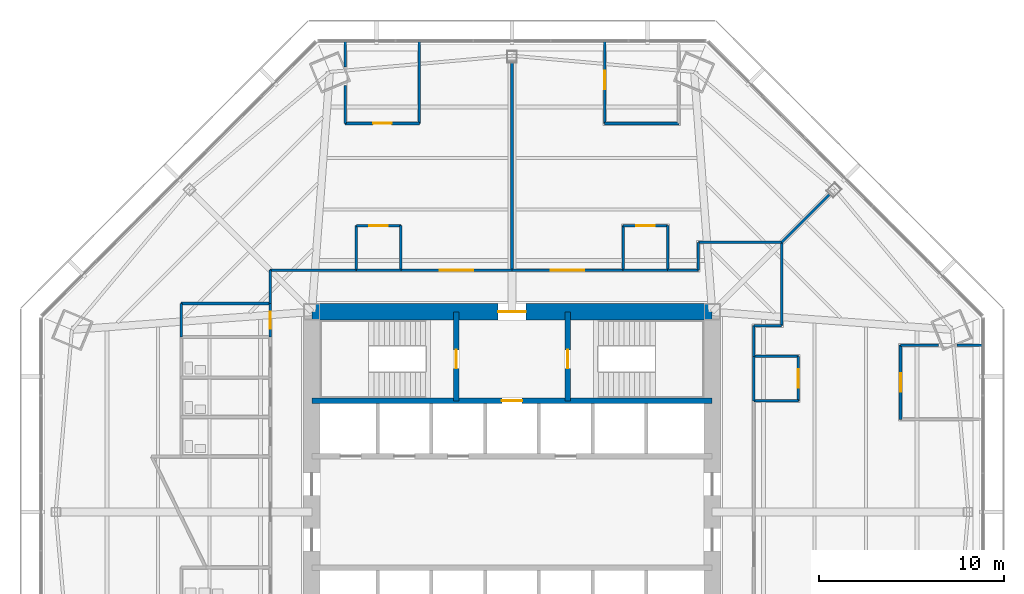
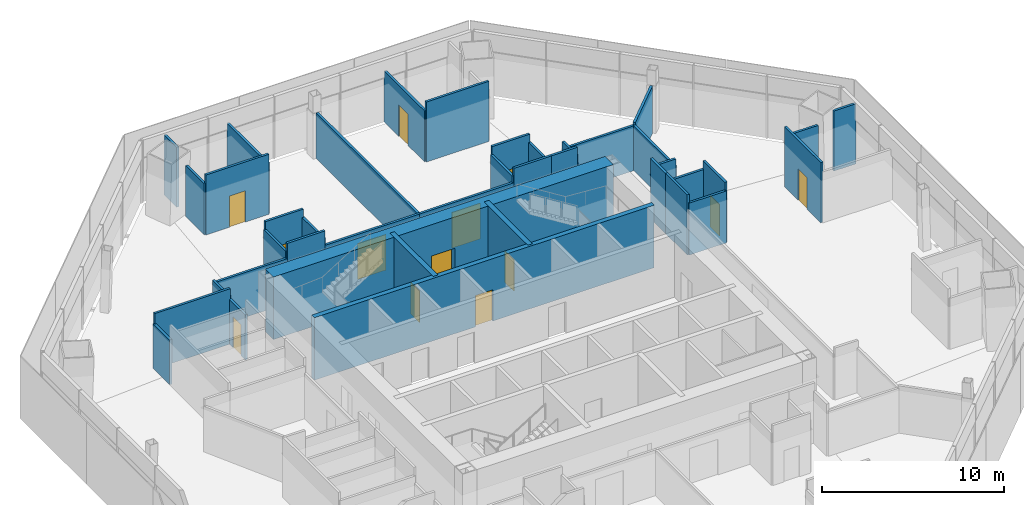
# One storey, part 12 of 17: 40 walls, 13 doors, 13 openings.
"""IFC4 building model written with IfcOpenShell, lengths in metres."""

from ifc_helpers import new_model, si_unit, direction, frame, frame_2d, origin, place, context, subcontext, project, spatial, rectangle, extrude, material, layer, layer_set, type_object, element, fill, save


model = new_model("IFC4")

# Units and contexts
model_context = context("Model", 3, precision=1e-05, world=origin(), true_north=direction((0.0, 1.0)))
body_context = subcontext(model_context, "Body", "Model", "MODEL_VIEW")
ifc_project = project(units=[si_unit("LENGTHUNIT", "METRE"), si_unit("AREAUNIT", "SQUARE_METRE"), si_unit("VOLUMEUNIT", "CUBIC_METRE"), si_unit("PLANEANGLEUNIT", "RADIAN"), si_unit("MASSUNIT", "GRAM", prefix="KILO")], contexts=[model_context])

# Site, building, storey
site_placement = place(None, origin())
site = spatial("IfcSite", under=ifc_project, at=site_placement, CompositionType="ELEMENT")
building_placement = place(site_placement, origin())
building = spatial("IfcBuilding", under=site, at=building_placement, Name="Mashrafa Tower", CompositionType="ELEMENT")
storey_placement = place(building_placement, frame((0.0, 0.0, 91.800048828125)))
storey = spatial("IfcBuildingStorey", under=building, at=storey_placement, Name="L20", CompositionType="ELEMENT", Elevation=91.800048828125)

# Wall, opening, door
ifc_material_1 = material(Name="Concrete C60/75", Category="concrete")
ifc_layer_1 = layer(ifc_material_1, 0.300048828125)
ifc_layer_set_1 = layer_set([ifc_layer_1], Name="Core wall 300 C60/75")
wall_type_1 = type_object("IfcWallType", Name="Core wall 300 C60/75", PredefinedType="SOLIDWALL", material=ifc_layer_set_1)
wall_1_placement = place(storey_placement, frame((-10.800048828125, 6.0, 0.0), z_axis=(0.0, 0.0, 1.0), x_axis=(1.0, 0.0, 0.0)))
wall_1 = element("IfcWall", 1, at=wall_1_placement, inside=storey, type_object=wall_type_1, Name="Core wall CB-N L20", PredefinedType="SOLIDWALL", context=body_context, shape_type="SweptSolid", body=[
    extrude(rectangle(XDim=21.60009765625, YDim=0.300048828125, at=frame_2d((10.800048828125, 0.0))), origin(), (0.0, 0.0, 1.0), 4.199951171875),
])
opening_1_placement = place(wall_1_placement, frame((10.25, 0.0, 0.0)))
opening_1 = element("IfcOpeningElement", 2, at=opening_1_placement, cuts=wall_1, Name="Opening 20.F1", PredefinedType="OPENING", context=body_context, shape_type="SweptSolid", body=[
    extrude(rectangle(XDim=1.10009765625, YDim=2.10009765625, at=frame_2d((0.550048828125, 1.050048828125))), frame((0.0, 0.159912109375, 0.0), z_axis=(0.0, -1.0, 0.0), x_axis=(1.0, 0.0, 0.0)), (0.0, 0.0, 1.0), 0.320068359375),
])
ifc_material_2 = material(Name="Steel door", Category="steel")
door_type_1 = type_object("IfcDoorType", Name="Lift landing door 1100 x 2100 90 min", OperationType="DOUBLE_DOOR_SLIDING", PredefinedType="DOOR", material=ifc_material_2)
door_1_placement = place(opening_1_placement, origin())
door_1 = element("IfcDoor", 3, at=door_1_placement, inside=storey, type_object=door_type_1, Name="Lift landing door F1 L20", OperationType="DOUBLE_DOOR_SLIDING", OverallHeight=2.10009765625, OverallWidth=1.10009765625, PredefinedType="DOOR", context=body_context, shape_type="SweptSolid", body=[
    extrude(rectangle(XDim=1.10009765625, YDim=2.10009765625, at=frame_2d((0.550048828125, 1.050048828125))), frame((0.0, 0.02490234375, 0.0), z_axis=(0.0, -1.0, 0.0), x_axis=(1.0, 0.0, 0.0)), (0.0, 0.0, 1.0), 0.050048828125),
])
fill(opening_1, door_1)

wall_2_placement = place(storey_placement, frame((-3.0, 6.0, 0.0), z_axis=(0.0, 0.0, 1.0), x_axis=(0.0, 1.0, 0.0)))
wall_2 = element("IfcWall", 4, at=wall_2_placement, inside=storey, type_object=wall_type_1, Name="Core wall CX-NW L20", PredefinedType="SOLIDWALL", context=body_context, shape_type="SweptSolid", body=[
    extrude(rectangle(XDim=4.800048828125, YDim=0.300048828125, at=frame_2d((2.39990234375, 0.0))), origin(), (0.0, 0.0, 1.0), 4.199951171875),
])
opening_2_placement = place(wall_2_placement, frame((1.75, 0.0, 0.0)))
opening_2 = element("IfcOpeningElement", 5, at=opening_2_placement, cuts=wall_2, Name="Opening 20.032", PredefinedType="OPENING", context=body_context, shape_type="SweptSolid", body=[
    extrude(rectangle(XDim=1.0, YDim=2.10009765625, at=frame_2d((0.5, 1.050048828125))), frame((0.0, 0.159912109375, 0.0), z_axis=(0.0, -1.0, 0.0), x_axis=(1.0, 0.0, 0.0)), (0.0, 0.0, 1.0), 0.320068359375),
])
ifc_material_3 = material(Name="Steel door", Category="steel")
door_type_2 = type_object("IfcDoorType", Name="Stair door 1000 x 2100 90 min", OperationType="USERDEFINED", PredefinedType="DOOR", material=ifc_material_3)
door_2_placement = place(opening_2_placement, origin())
door_2 = element("IfcDoor", 6, at=door_2_placement, inside=storey, type_object=door_type_2, Name="Stair S1 door L20", OperationType="SINGLE_SWING_LEFT", OverallHeight=2.10009765625, OverallWidth=1.0, PredefinedType="DOOR", context=body_context, shape_type="SweptSolid", body=[
    extrude(rectangle(XDim=1.0, YDim=2.10009765625, at=frame_2d((0.5, 1.050048828125))), frame((0.0, 0.02490234375, 0.0), z_axis=(0.0, -1.0, 0.0), x_axis=(1.0, 0.0, 0.0)), (0.0, 0.0, 1.0), 0.050048828125),
])
fill(opening_2, door_2)

wall_3_placement = place(storey_placement, frame((3.0, 6.0, 0.0), z_axis=(0.0, 0.0, 1.0), x_axis=(0.0, 1.0, 0.0)))
wall_3 = element("IfcWall", 7, at=wall_3_placement, inside=storey, type_object=wall_type_1, Name="Core wall CX-NE L20", PredefinedType="SOLIDWALL", context=body_context, shape_type="SweptSolid", body=[
    extrude(rectangle(XDim=4.800048828125, YDim=0.300048828125, at=frame_2d((2.39990234375, 0.0))), origin(), (0.0, 0.0, 1.0), 4.199951171875),
])
opening_3_placement = place(wall_3_placement, frame((1.75, 0.0, 0.0)))
opening_3 = element("IfcOpeningElement", 8, at=opening_3_placement, cuts=wall_3, Name="Opening 20.033", PredefinedType="OPENING", context=body_context, shape_type="SweptSolid", body=[
    extrude(rectangle(XDim=1.0, YDim=2.10009765625, at=frame_2d((0.5, 1.050048828125))), frame((0.0, 0.159912109375, 0.0), z_axis=(0.0, -1.0, 0.0), x_axis=(1.0, 0.0, 0.0)), (0.0, 0.0, 1.0), 0.320068359375),
])
door_3_placement = place(opening_3_placement, frame((1.0, 0.0, 0.0), z_axis=(0.0, 0.0, 1.0), x_axis=(-1.0, 0.0, 0.0)))
door_3 = element("IfcDoor", 9, at=door_3_placement, inside=storey, type_object=door_type_2, Name="Stair S2 door L20", OperationType="SINGLE_SWING_RIGHT", OverallHeight=2.10009765625, OverallWidth=1.0, PredefinedType="DOOR", context=body_context, shape_type="SweptSolid", body=[
    extrude(rectangle(XDim=1.0, YDim=2.10009765625, at=frame_2d((0.5, 1.050048828125))), frame((0.0, 0.02490234375, 0.0), z_axis=(0.0, -1.0, 0.0), x_axis=(1.0, 0.0, 0.0)), (0.0, 0.0, 1.0), 0.050048828125),
])
fill(opening_3, door_3)

ifc_material_4 = material(Name="Concrete C60/75", Category="concrete")
ifc_layer_2 = layer(ifc_material_4, 0.89990234375)
ifc_layer_set_2 = layer_set([ifc_layer_2], Name="Core wall 900 C60/75")
wall_type_2 = type_object("IfcWallType", Name="Core wall 900 C60/75", PredefinedType="SOLIDWALL", material=ifc_layer_set_2)
wall_4_placement = place(storey_placement, frame((10.800048828125, 10.800048828125, 0.0), z_axis=(0.0, 0.0, 1.0), x_axis=(-1.0, 0.0, 0.0)))
wall_4 = element("IfcWall", 10, at=wall_4_placement, inside=storey, type_object=wall_type_2, Name="Core wall CW-N L20", PredefinedType="SOLIDWALL", context=body_context, shape_type="SweptSolid", body=[
    extrude(rectangle(XDim=21.60009765625, YDim=0.89990234375, at=frame_2d((10.800048828125, 0.0))), origin(), (0.0, 0.0, 1.0), 4.199951171875),
])
opening_4_placement = place(wall_4_placement, frame((10.050048828125, 0.0, 0.0)))
opening_4 = element("IfcOpeningElement", 11, at=opening_4_placement, cuts=wall_4, Name="Opening 20.030", PredefinedType="OPENING", context=body_context, shape_type="SweptSolid", body=[
    extrude(rectangle(XDim=1.5, YDim=2.10009765625, at=frame_2d((0.75, 1.050048828125))), frame((0.0, 0.4599609375, 0.0), z_axis=(0.0, -1.0, 0.0), x_axis=(1.0, 0.0, 0.0)), (0.0, 0.0, 1.0), 0.919921875),
])
ifc_material_5 = material(Name="Steel door", Category="steel")
door_type_3 = type_object("IfcDoorType", Name="Lobby door pair 1500 x 2100 90 min", OperationType="DOUBLE_DOOR_SINGLE_SWING", PredefinedType="DOOR", material=ifc_material_5)
door_4_placement = place(opening_4_placement, origin())
door_4 = element("IfcDoor", 12, at=door_4_placement, inside=storey, type_object=door_type_3, Name="Fire-fighting lobby F1 door L20", OperationType="DOUBLE_DOOR_SINGLE_SWING", OverallHeight=2.10009765625, OverallWidth=1.5, PredefinedType="DOOR", context=body_context, shape_type="SweptSolid", body=[
    extrude(rectangle(XDim=1.5, YDim=2.10009765625, at=frame_2d((0.75, 1.050048828125))), frame((0.0, 0.02490234375, 0.0), z_axis=(0.0, -1.0, 0.0), x_axis=(1.0, 0.0, 0.0)), (0.0, 0.0, 1.0), 0.050048828125),
])
fill(opening_4, door_4)

ifc_material_6 = material(Name="Gypsum board on steel studs", Category="steel")
ifc_layer_3 = layer(ifc_material_6, 0.14990234375)
ifc_layer_set_3 = layer_set([ifc_layer_3], Name="Corridor partition 150 1 hr")
wall_type_3 = type_object("IfcWallType", Name="Corridor partition 150 1 hr", PredefinedType="PARTITIONING", material=ifc_layer_set_3)
wall_5_placement = place(storey_placement, frame((-13.050048828125, 11.2509765625, 0.0), z_axis=(0.0, 0.0, 1.0), x_axis=(0.0, -1.0, 0.0)))
wall_5 = element("IfcWall", 13, at=wall_5_placement, inside=storey, type_object=wall_type_3, Name="Corridor wall L20-004", PredefinedType="PARTITIONING", context=body_context, shape_type="SweptSolid", body=[
    extrude(rectangle(XDim=1.802001953125, YDim=0.14990234375, at=frame_2d((0.90087890625, 0.0))), origin(), (0.0, 0.0, 1.0), 3.01416015625),
])
opening_5_placement = place(wall_5_placement, frame((0.450927734375, 0.0, 0.0)))
opening_5 = element("IfcOpeningElement", 14, at=opening_5_placement, cuts=wall_5, Name="Opening 20.004", PredefinedType="OPENING", context=body_context, shape_type="SweptSolid", body=[
    extrude(rectangle(XDim=0.89990234375, YDim=2.10009765625, at=frame_2d((0.449951171875, 1.050048828125))), frame((0.0, 0.0849609375, 0.0), z_axis=(0.0, -1.0, 0.0), x_axis=(1.0, 0.0, 0.0)), (0.0, 0.0, 1.0), 0.169921875),
])
ifc_material_7 = material(Name="Timber door", Category="wood")
door_type_4 = type_object("IfcDoorType", Name="Store door 900 x 2100", OperationType="USERDEFINED", PredefinedType="DOOR", material=ifc_material_7)
door_5_placement = place(opening_5_placement, frame((0.89990234375, 0.0, 0.0), z_axis=(0.0, 0.0, 1.0), x_axis=(-1.0, 0.0, 0.0)))
door_5 = element("IfcDoor", 15, at=door_5_placement, inside=storey, type_object=door_type_4, Name="Cleaner's Store L20 N door", OperationType="SINGLE_SWING_LEFT", OverallHeight=2.10009765625, OverallWidth=0.89990234375, PredefinedType="DOOR", context=body_context, shape_type="SweptSolid", body=[
    extrude(rectangle(XDim=0.89990234375, YDim=2.10009765625, at=frame_2d((0.449951171875, 1.050048828125))), frame((0.0, 0.02490234375, 0.0), z_axis=(0.0, -1.0, 0.0), x_axis=(1.0, 0.0, 0.0)), (0.0, 0.0, 1.0), 0.050048828125),
])
fill(opening_5, door_5)

# Walls
for number, where, z_axis, x_axis, name in (
    (16, (8.40087890625, 13.050048828125, 0.0), (0.0, 0.0, 1.0), (-1.0, 0.0, 0.0), "Corridor wall L20-010"),
    (17, (-5.9990234375, 13.050048828125, 0.0), (0.0, 0.0, 1.0), (-1.0, 0.0, 0.0), "Corridor wall L20-011"),
    (18, (13.050048828125, 5.9990234375, 0.0), (0.0, 0.0, 1.0), (0.0, 1.0, 0.0), "Corridor wall L20-012"),
):
    element("IfcWall", number, at=place(storey_placement, frame(where, z_axis=z_axis, x_axis=x_axis)), inside=storey, type_object=wall_type_3, Name=name, PredefinedType="PARTITIONING", context=body_context, shape_type="SweptSolid", body=[
        extrude(rectangle(XDim=2.40185546875, YDim=0.14990234375, at=frame_2d((1.200927734375, 0.0))), origin(), (0.0, 0.0, 1.0), 4.034912109375),
    ])

# Wall, opening, door
wall_6_placement = place(storey_placement, frame((6.0009765625, 13.050048828125, 0.0), z_axis=(0.0, 0.0, 1.0), x_axis=(-1.0, 0.0, 0.0)))
wall_6 = element("IfcWall", 19, at=wall_6_placement, inside=storey, type_object=wall_type_3, Name="Corridor wall L20-015", PredefinedType="PARTITIONING", context=body_context, shape_type="SweptSolid", body=[
    extrude(rectangle(XDim=6.001953125, YDim=0.14990234375, at=frame_2d((3.0009765625, 0.0))), origin(), (0.0, 0.0, 1.0), 3.06494140625),
])
opening_6_placement = place(wall_6_placement, frame((2.10107421875, 0.0, 0.0)))
opening_6 = element("IfcOpeningElement", 20, at=opening_6_placement, cuts=wall_6, Name="Opening 20.021", PredefinedType="OPENING", context=body_context, shape_type="SweptSolid", body=[
    extrude(rectangle(XDim=1.800048828125, YDim=2.39990234375, at=frame_2d((0.89990234375, 1.199951171875))), frame((0.0, 0.0849609375, 0.0), z_axis=(0.0, -1.0, 0.0), x_axis=(1.0, 0.0, 0.0)), (0.0, 0.0, 1.0), 0.169921875),
])
ifc_material_8 = material(Name="Timber door", Category="wood")
door_type_5 = type_object("IfcDoorType", Name="Door pair 1800 x 2400", OperationType="DOUBLE_DOOR_SINGLE_SWING", PredefinedType="DOOR", material=ifc_material_8)
door_6_placement = place(opening_6_placement, frame((1.800048828125, 0.0, 0.0), z_axis=(0.0, 0.0, 1.0), x_axis=(-1.0, 0.0, 0.0)))
door_6 = element("IfcDoor", 21, at=door_6_placement, inside=storey, type_object=door_type_5, Name="Office Suite 20-NE door", OperationType="DOUBLE_DOOR_SINGLE_SWING", OverallHeight=2.39990234375, OverallWidth=1.800048828125, PredefinedType="DOOR", context=body_context, shape_type="SweptSolid", body=[
    extrude(rectangle(XDim=1.800048828125, YDim=2.39990234375, at=frame_2d((0.89990234375, 1.199951171875))), frame((0.0, 0.02490234375, 0.0), z_axis=(0.0, -1.0, 0.0), x_axis=(1.0, 0.0, 0.0)), (0.0, 0.0, 1.0), 0.050048828125),
])
fill(opening_6, door_6)

# Walls
wall_7_placement = place(storey_placement, frame((14.550048828125, 14.550048828125, 0.0), z_axis=(0.0, 0.0, 1.0), x_axis=(-1.0, 0.0, 0.0)))
element("IfcWall", 22, at=wall_7_placement, inside=storey, type_object=wall_type_3, Name="Corridor wall L20-016", PredefinedType="PARTITIONING", context=body_context, shape_type="SweptSolid", body=[
    extrude(rectangle(XDim=4.5, YDim=0.14990234375, at=frame_2d((2.25, 0.0))), origin(), (0.0, 0.0, 1.0), 3.01416015625),
])
wall_8_placement = place(storey_placement, frame((10.050048828125, 14.550048828125, 0.0), z_axis=(0.0, 0.0, 1.0), x_axis=(0.0, -1.0, 0.0)))
element("IfcWall", 23, at=wall_8_placement, inside=storey, type_object=wall_type_3, Name="Corridor wall L20-017", PredefinedType="PARTITIONING", context=body_context, shape_type="SweptSolid", body=[
    extrude(rectangle(XDim=1.5, YDim=0.14990234375, at=frame_2d((0.75, 0.0))), origin(), (0.0, 0.0, 1.0), 3.491455078125),
])
wall_9_placement = place(storey_placement, frame((10.050048828125, 13.050048828125, 0.0), z_axis=(0.0, 0.0, 1.0), x_axis=(-1.0, 0.0, 0.0)))
element("IfcWall", 24, at=wall_9_placement, inside=storey, type_object=wall_type_3, Name="Corridor wall L20-018", PredefinedType="PARTITIONING", context=body_context, shape_type="SweptSolid", body=[
    extrude(rectangle(XDim=1.651123046875, YDim=0.14990234375, at=frame_2d((0.82568359375, 0.0))), origin(), (0.0, 0.0, 1.0), 4.034912109375),
])
wall_10_placement = place(storey_placement, frame((-8.39892578125, 13.050048828125, 0.0), z_axis=(0.0, 0.0, 1.0), x_axis=(-1.0, 0.0, 0.0)))
element("IfcWall", 25, at=wall_10_placement, inside=storey, type_object=wall_type_3, Name="Corridor wall L20-020", PredefinedType="PARTITIONING", context=body_context, shape_type="SweptSolid", body=[
    extrude(rectangle(XDim=4.651123046875, YDim=0.14990234375, at=frame_2d((2.32568359375, 0.0))), origin(), (0.0, 0.0, 1.0), 3.01416015625),
])
wall_11_placement = place(storey_placement, frame((-13.050048828125, 13.050048828125, 0.0), z_axis=(0.0, 0.0, 1.0), x_axis=(0.0, -1.0, 0.0)))
element("IfcWall", 26, at=wall_11_placement, inside=storey, type_object=wall_type_3, Name="Corridor wall L20-021", PredefinedType="PARTITIONING", context=body_context, shape_type="SweptSolid", body=[
    extrude(rectangle(XDim=1.801025390625, YDim=0.14990234375, at=frame_2d((0.900390625, 0.0))), origin(), (0.0, 0.0, 1.0), 3.17919921875),
])

# Wall, opening, door
wall_12_placement = place(storey_placement, frame((0.0009765625, 13.050048828125, 0.0), z_axis=(0.0, 0.0, 1.0), x_axis=(-1.0, 0.0, 0.0)))
wall_12 = element("IfcWall", 27, at=wall_12_placement, inside=storey, type_object=wall_type_3, Name="Corridor wall L20-022", PredefinedType="PARTITIONING", context=body_context, shape_type="SweptSolid", body=[
    extrude(rectangle(XDim=6.001953125, YDim=0.14990234375, at=frame_2d((3.0009765625, 0.0))), origin(), (0.0, 0.0, 1.0), 3.06494140625),
])
opening_7_placement = place(wall_12_placement, frame((2.10107421875, 0.0, 0.0)))
opening_7 = element("IfcOpeningElement", 28, at=opening_7_placement, cuts=wall_12, Name="Opening 20.022", PredefinedType="OPENING", context=body_context, shape_type="SweptSolid", body=[
    extrude(rectangle(XDim=1.800048828125, YDim=2.39990234375, at=frame_2d((0.89990234375, 1.199951171875))), frame((0.0, 0.0849609375, 0.0), z_axis=(0.0, -1.0, 0.0), x_axis=(1.0, 0.0, 0.0)), (0.0, 0.0, 1.0), 0.169921875),
])
door_7_placement = place(opening_7_placement, frame((1.800048828125, 0.0, 0.0), z_axis=(0.0, 0.0, 1.0), x_axis=(-1.0, 0.0, 0.0)))
door_7 = element("IfcDoor", 29, at=door_7_placement, inside=storey, type_object=door_type_5, Name="Office Suite 20-NW door", OperationType="DOUBLE_DOOR_SINGLE_SWING", OverallHeight=2.39990234375, OverallWidth=1.800048828125, PredefinedType="DOOR", context=body_context, shape_type="SweptSolid", body=[
    extrude(rectangle(XDim=1.800048828125, YDim=2.39990234375, at=frame_2d((0.89990234375, 1.199951171875))), frame((0.0, 0.02490234375, 0.0), z_axis=(0.0, -1.0, 0.0), x_axis=(1.0, 0.0, 0.0)), (0.0, 0.0, 1.0), 0.050048828125),
])
fill(opening_7, door_7)

# Walls
wall_13_placement = place(storey_placement, frame((13.050048828125, 8.39892578125, 0.0), z_axis=(0.0, 0.0, 1.0), x_axis=(0.0, 1.0, 0.0)))
element("IfcWall", 30, at=wall_13_placement, inside=storey, type_object=wall_type_3, Name="Corridor wall L20-026", PredefinedType="PARTITIONING", context=body_context, shape_type="SweptSolid", body=[
    extrude(rectangle(XDim=1.651123046875, YDim=0.14990234375, at=frame_2d((0.82568359375, 0.0))), origin(), (0.0, 0.0, 1.0), 4.034912109375),
])
wall_14_placement = place(storey_placement, frame((13.050048828125, 10.050048828125, 0.0), z_axis=(0.0, 0.0, 1.0), x_axis=(1.0, 0.0, 0.0)))
element("IfcWall", 31, at=wall_14_placement, inside=storey, type_object=wall_type_3, Name="Corridor wall L20-027", PredefinedType="PARTITIONING", context=body_context, shape_type="SweptSolid", body=[
    extrude(rectangle(XDim=1.5, YDim=0.14990234375, at=frame_2d((0.75, 0.0))), origin(), (0.0, 0.0, 1.0), 3.491455078125),
])
wall_15_placement = place(storey_placement, frame((14.550048828125, 10.050048828125, 0.0), z_axis=(0.0, 0.0, 1.0), x_axis=(0.0, 1.0, 0.0)))
element("IfcWall", 32, at=wall_15_placement, inside=storey, type_object=wall_type_3, Name="Corridor wall L20-028", PredefinedType="PARTITIONING", context=body_context, shape_type="SweptSolid", body=[
    extrude(rectangle(XDim=4.5, YDim=0.14990234375, at=frame_2d((2.25, 0.0))), origin(), (0.0, 0.0, 1.0), 3.01416015625),
])
ifc_material_9 = material(Name="Gypsum board on steel studs", Category="steel")
ifc_layer_4 = layer(ifc_material_9, 0.14990234375)
ifc_layer_set_4 = layer_set([ifc_layer_4], Name="Partition 150")
wall_type_4 = type_object("IfcWallType", Name="Partition 150", PredefinedType="PARTITIONING", material=ifc_layer_set_4)
wall_16_placement = place(storey_placement, frame((-13.050048828125, 11.25, 0.0), z_axis=(0.0, 0.0, 1.0), x_axis=(-1.0, 0.0, 0.0)))
element("IfcWall", 33, at=wall_16_placement, inside=storey, type_object=wall_type_4, Name="Partition wall L20-042", PredefinedType="PARTITIONING", context=body_context, shape_type="SweptSolid", body=[
    extrude(rectangle(XDim=4.800048828125, YDim=0.14990234375, at=frame_2d((2.39990234375, 0.0))), origin(), (0.0, 0.0, 1.0), 3.715087890625),
])
wall_17_placement = place(storey_placement, frame((-17.85009765625, 11.25, 0.0), z_axis=(0.0, 0.0, 1.0), x_axis=(0.0, -1.0, 0.0)))
element("IfcWall", 34, at=wall_17_placement, inside=storey, type_object=wall_type_4, Name="Partition wall L20-043", PredefinedType="PARTITIONING", context=body_context, shape_type="SweptSolid", body=[
    extrude(rectangle(XDim=1.800048828125, YDim=0.14990234375, at=frame_2d((0.89990234375, 0.0))), origin(), (0.0, 0.0, 1.0), 3.01416015625),
])

# Wall, opening, door
wall_18_placement = place(storey_placement, frame((5.0, 25.40185546875, 0.0), z_axis=(0.0, 0.0, 1.0), x_axis=(0.0, -1.0, 0.0)))
wall_18 = element("IfcWall", 35, at=wall_18_placement, inside=storey, type_object=wall_type_4, Name="Partition wall L20-056", PredefinedType="PARTITIONING", context=body_context, shape_type="SweptSolid", body=[
    extrude(rectangle(XDim=4.43408203125, YDim=0.14990234375, at=frame_2d((2.217041015625, 0.0))), origin(), (0.0, 0.0, 1.0), 3.4228515625),
])
opening_8_placement = place(wall_18_placement, frame((1.59912109375, 0.0, 0.0)))
opening_8 = element("IfcOpeningElement", 36, at=opening_8_placement, cuts=wall_18, Name="Opening 20.010", PredefinedType="OPENING", context=body_context, shape_type="SweptSolid", body=[
    extrude(rectangle(XDim=1.0, YDim=2.10009765625, at=frame_2d((0.5, 1.050048828125))), frame((0.0, 0.0849609375, 0.0), z_axis=(0.0, -1.0, 0.0), x_axis=(1.0, 0.0, 0.0)), (0.0, 0.0, 1.0), 0.169921875),
])
ifc_material_10 = material(Name="Timber door", Category="wood")
door_type_6 = type_object("IfcDoorType", Name="Door 1000 x 2100", OperationType="USERDEFINED", PredefinedType="DOOR", material=ifc_material_10)
door_8_placement = place(opening_8_placement, origin())
door_8 = element("IfcDoor", 37, at=door_8_placement, inside=storey, type_object=door_type_6, Name="Manager's Office 20-NE door", OperationType="SINGLE_SWING_LEFT", OverallHeight=2.10009765625, OverallWidth=1.0, PredefinedType="DOOR", context=body_context, shape_type="SweptSolid", body=[
    extrude(rectangle(XDim=1.0, YDim=2.10009765625, at=frame_2d((0.5, 1.050048828125))), frame((0.0, 0.02490234375, 0.0), z_axis=(0.0, -1.0, 0.0), x_axis=(1.0, 0.0, 0.0)), (0.0, 0.0, 1.0), 0.050048828125),
])
fill(opening_8, door_8)

# Walls
wall_19_placement = place(storey_placement, frame((5.0, 20.9677734375, 0.0), z_axis=(0.0, 0.0, 1.0), x_axis=(1.0, 0.0, 0.0)))
element("IfcWall", 38, at=wall_19_placement, inside=storey, type_object=wall_type_4, Name="Partition wall L20-057", PredefinedType="PARTITIONING", context=body_context, shape_type="SweptSolid", body=[
    extrude(rectangle(XDim=4.0, YDim=0.14990234375, at=frame_2d((2.0, 0.0))), origin(), (0.0, 0.0, 1.0), 4.034912109375),
])
wall_20_placement = place(storey_placement, frame((8.39990234375, 13.050048828125, 0.0), z_axis=(0.0, 0.0, 1.0), x_axis=(0.0, 1.0, 0.0)))
element("IfcWall", 39, at=wall_20_placement, inside=storey, type_object=wall_type_4, Name="Partition wall L20-060", PredefinedType="PARTITIONING", context=body_context, shape_type="SweptSolid", body=[
    extrude(rectangle(XDim=2.39990234375, YDim=0.14990234375, at=frame_2d((1.199951171875, 0.0))), origin(), (0.0, 0.0, 1.0), 3.491455078125),
])

# Wall, opening, door
wall_21_placement = place(storey_placement, frame((8.39990234375, 15.449951171875, 0.0), z_axis=(0.0, 0.0, 1.0), x_axis=(-1.0, 0.0, 0.0)))
wall_21 = element("IfcWall", 40, at=wall_21_placement, inside=storey, type_object=wall_type_4, Name="Partition wall L20-061", PredefinedType="PARTITIONING", context=body_context, shape_type="SweptSolid", body=[
    extrude(rectangle(XDim=2.39990234375, YDim=0.14990234375, at=frame_2d((1.199951171875, 0.0))), origin(), (0.0, 0.0, 1.0), 4.034912109375),
])
opening_9_placement = place(wall_21_placement, frame((0.699951171875, 0.0, 0.0)))
opening_9 = element("IfcOpeningElement", 41, at=opening_9_placement, cuts=wall_21, Name="Opening 20.011", PredefinedType="OPENING", context=body_context, shape_type="SweptSolid", body=[
    extrude(rectangle(XDim=1.0, YDim=2.10009765625, at=frame_2d((0.5, 1.050048828125))), frame((0.0, 0.0849609375, 0.0), z_axis=(0.0, -1.0, 0.0), x_axis=(1.0, 0.0, 0.0)), (0.0, 0.0, 1.0), 0.169921875),
])
door_9_placement = place(opening_9_placement, origin())
door_9 = element("IfcDoor", 42, at=door_9_placement, inside=storey, type_object=door_type_6, Name="Kitchenette 20-NE door", OperationType="SINGLE_SWING_LEFT", OverallHeight=2.10009765625, OverallWidth=1.0, PredefinedType="DOOR", context=body_context, shape_type="SweptSolid", body=[
    extrude(rectangle(XDim=1.0, YDim=2.10009765625, at=frame_2d((0.5, 1.050048828125))), frame((0.0, 0.02490234375, 0.0), z_axis=(0.0, -1.0, 0.0), x_axis=(1.0, 0.0, 0.0)), (0.0, 0.0, 1.0), 0.050048828125),
])
fill(opening_9, door_9)

# Walls
wall_22_placement = place(storey_placement, frame((6.0, 15.449951171875, 0.0), z_axis=(0.0, 0.0, 1.0), x_axis=(0.0, -1.0, 0.0)))
element("IfcWall", 43, at=wall_22_placement, inside=storey, type_object=wall_type_4, Name="Partition wall L20-062", PredefinedType="PARTITIONING", context=body_context, shape_type="SweptSolid", body=[
    extrude(rectangle(XDim=2.39990234375, YDim=0.14990234375, at=frame_2d((1.199951171875, 0.0))), origin(), (0.0, 0.0, 1.0), 3.491455078125),
])
wall_23_placement = place(storey_placement, frame((-9.0, 25.39990234375, 0.0), z_axis=(0.0, 0.0, 1.0), x_axis=(0.0, -1.0, 0.0)))
element("IfcWall", 44, at=wall_23_placement, inside=storey, type_object=wall_type_4, Name="Partition wall L20-063", PredefinedType="PARTITIONING", context=body_context, shape_type="SweptSolid", body=[
    extrude(rectangle(XDim=1.401123046875, YDim=0.14990234375, at=frame_2d((0.70068359375, 0.0))), origin(), (0.0, 0.0, 1.0), 4.034912109375),
])
wall_24_placement = place(storey_placement, frame((-9.0, 23.00439453125, 0.0), z_axis=(0.0, 0.0, 1.0), x_axis=(0.0, -1.0, 0.0)))
element("IfcWall", 45, at=wall_24_placement, inside=storey, type_object=wall_type_4, Name="Partition wall L20-064", PredefinedType="PARTITIONING", context=body_context, shape_type="SweptSolid", body=[
    extrude(rectangle(XDim=2.03662109375, YDim=0.14990234375, at=frame_2d((1.018310546875, 0.0))), origin(), (0.0, 0.0, 1.0), 3.4228515625),
])

# Wall, opening, door
wall_25_placement = place(storey_placement, frame((-9.0, 20.9677734375, 0.0), z_axis=(0.0, 0.0, 1.0), x_axis=(1.0, 0.0, 0.0)))
wall_25 = element("IfcWall", 46, at=wall_25_placement, inside=storey, type_object=wall_type_4, Name="Partition wall L20-065", PredefinedType="PARTITIONING", context=body_context, shape_type="SweptSolid", body=[
    extrude(rectangle(XDim=4.0, YDim=0.14990234375, at=frame_2d((2.0, 0.0))), origin(), (0.0, 0.0, 1.0), 4.034912109375),
])
opening_10_placement = place(wall_25_placement, frame((1.5, 0.0, 0.0)))
opening_10 = element("IfcOpeningElement", 47, at=opening_10_placement, cuts=wall_25, Name="Opening 20.012", PredefinedType="OPENING", context=body_context, shape_type="SweptSolid", body=[
    extrude(rectangle(XDim=1.0, YDim=2.10009765625, at=frame_2d((0.5, 1.050048828125))), frame((0.0, 0.0849609375, 0.0), z_axis=(0.0, -1.0, 0.0), x_axis=(1.0, 0.0, 0.0)), (0.0, 0.0, 1.0), 0.169921875),
])
door_10_placement = place(opening_10_placement, origin())
door_10 = element("IfcDoor", 48, at=door_10_placement, inside=storey, type_object=door_type_6, Name="Manager's Office 20-NW door", OperationType="SINGLE_SWING_LEFT", OverallHeight=2.10009765625, OverallWidth=1.0, PredefinedType="DOOR", context=body_context, shape_type="SweptSolid", body=[
    extrude(rectangle(XDim=1.0, YDim=2.10009765625, at=frame_2d((0.5, 1.050048828125))), frame((0.0, 0.02490234375, 0.0), z_axis=(0.0, -1.0, 0.0), x_axis=(1.0, 0.0, 0.0)), (0.0, 0.0, 1.0), 0.050048828125),
])
fill(opening_10, door_10)

# Walls
wall_26_placement = place(storey_placement, frame((-5.0, 20.9677734375, 0.0), z_axis=(0.0, 0.0, 1.0), x_axis=(0.0, 1.0, 0.0)))
element("IfcWall", 49, at=wall_26_placement, inside=storey, type_object=wall_type_4, Name="Partition wall L20-066", PredefinedType="PARTITIONING", context=body_context, shape_type="SweptSolid", body=[
    extrude(rectangle(XDim=4.43212890625, YDim=0.14990234375, at=frame_2d((2.216064453125, 0.0))), origin(), (0.0, 0.0, 1.0), 3.4228515625),
])
wall_27_placement = place(storey_placement, frame((-6.0, 13.050048828125, 0.0), z_axis=(0.0, 0.0, 1.0), x_axis=(0.0, 1.0, 0.0)))
element("IfcWall", 50, at=wall_27_placement, inside=storey, type_object=wall_type_4, Name="Partition wall L20-067", PredefinedType="PARTITIONING", context=body_context, shape_type="SweptSolid", body=[
    extrude(rectangle(XDim=2.39990234375, YDim=0.14990234375, at=frame_2d((1.199951171875, 0.0))), origin(), (0.0, 0.0, 1.0), 3.491455078125),
])

# Wall, opening, door
wall_28_placement = place(storey_placement, frame((-6.0, 15.449951171875, 0.0), z_axis=(0.0, 0.0, 1.0), x_axis=(-1.0, 0.0, 0.0)))
wall_28 = element("IfcWall", 51, at=wall_28_placement, inside=storey, type_object=wall_type_4, Name="Partition wall L20-068", PredefinedType="PARTITIONING", context=body_context, shape_type="SweptSolid", body=[
    extrude(rectangle(XDim=2.39990234375, YDim=0.14990234375, at=frame_2d((1.199951171875, 0.0))), origin(), (0.0, 0.0, 1.0), 4.034912109375),
])
opening_11_placement = place(wall_28_placement, frame((0.699951171875, 0.0, 0.0)))
opening_11 = element("IfcOpeningElement", 52, at=opening_11_placement, cuts=wall_28, Name="Opening 20.013", PredefinedType="OPENING", context=body_context, shape_type="SweptSolid", body=[
    extrude(rectangle(XDim=1.0, YDim=2.10009765625, at=frame_2d((0.5, 1.050048828125))), frame((0.0, 0.0849609375, 0.0), z_axis=(0.0, -1.0, 0.0), x_axis=(1.0, 0.0, 0.0)), (0.0, 0.0, 1.0), 0.169921875),
])
door_11_placement = place(opening_11_placement, origin())
door_11 = element("IfcDoor", 53, at=door_11_placement, inside=storey, type_object=door_type_6, Name="Kitchenette 20-NW door", OperationType="SINGLE_SWING_LEFT", OverallHeight=2.10009765625, OverallWidth=1.0, PredefinedType="DOOR", context=body_context, shape_type="SweptSolid", body=[
    extrude(rectangle(XDim=1.0, YDim=2.10009765625, at=frame_2d((0.5, 1.050048828125))), frame((0.0, 0.02490234375, 0.0), z_axis=(0.0, -1.0, 0.0), x_axis=(1.0, 0.0, 0.0)), (0.0, 0.0, 1.0), 0.050048828125),
])
fill(opening_11, door_11)

# Walls
for number, where, z_axis, x_axis, name in (
    (54, (-8.39990234375, 15.449951171875, 0.0), (0.0, 0.0, 1.0), (0.0, -1.0, 0.0), "Partition wall L20-069"),
    (55, (13.050048828125, 6.0, 0.0), (0.0, 0.0, 1.0), (1.0, 0.0, 0.0), "Partition wall L20-074"),
):
    element("IfcWall", number, at=place(storey_placement, frame(where, z_axis=z_axis, x_axis=x_axis)), inside=storey, type_object=wall_type_4, Name=name, PredefinedType="PARTITIONING", context=body_context, shape_type="SweptSolid", body=[
        extrude(rectangle(XDim=2.39990234375, YDim=0.14990234375, at=frame_2d((1.199951171875, 0.0))), origin(), (0.0, 0.0, 1.0), 3.491455078125),
    ])

# Wall, opening, door
wall_29_placement = place(storey_placement, frame((15.449951171875, 6.0, 0.0), z_axis=(0.0, 0.0, 1.0), x_axis=(0.0, 1.0, 0.0)))
wall_29 = element("IfcWall", 56, at=wall_29_placement, inside=storey, type_object=wall_type_4, Name="Partition wall L20-075", PredefinedType="PARTITIONING", context=body_context, shape_type="SweptSolid", body=[
    extrude(rectangle(XDim=2.39990234375, YDim=0.14990234375, at=frame_2d((1.199951171875, 0.0))), origin(), (0.0, 0.0, 1.0), 4.034912109375),
])
opening_12_placement = place(wall_29_placement, frame((0.699951171875, 0.0, 0.0)))
opening_12 = element("IfcOpeningElement", 57, at=opening_12_placement, cuts=wall_29, Name="Opening 20.015", PredefinedType="OPENING", context=body_context, shape_type="SweptSolid", body=[
    extrude(rectangle(XDim=1.0, YDim=2.10009765625, at=frame_2d((0.5, 1.050048828125))), frame((0.0, 0.0849609375, 0.0), z_axis=(0.0, -1.0, 0.0), x_axis=(1.0, 0.0, 0.0)), (0.0, 0.0, 1.0), 0.169921875),
])
door_12_placement = place(opening_12_placement, origin())
door_12 = element("IfcDoor", 58, at=door_12_placement, inside=storey, type_object=door_type_6, Name="Kitchenette 20-E door", OperationType="SINGLE_SWING_LEFT", OverallHeight=2.10009765625, OverallWidth=1.0, PredefinedType="DOOR", context=body_context, shape_type="SweptSolid", body=[
    extrude(rectangle(XDim=1.0, YDim=2.10009765625, at=frame_2d((0.5, 1.050048828125))), frame((0.0, 0.02490234375, 0.0), z_axis=(0.0, -1.0, 0.0), x_axis=(1.0, 0.0, 0.0)), (0.0, 0.0, 1.0), 0.050048828125),
])
fill(opening_12, door_12)

# Walls
wall_30_placement = place(storey_placement, frame((15.449951171875, 8.39990234375, 0.0), z_axis=(0.0, 0.0, 1.0), x_axis=(-1.0, 0.0, 0.0)))
element("IfcWall", 59, at=wall_30_placement, inside=storey, type_object=wall_type_4, Name="Partition wall L20-076", PredefinedType="PARTITIONING", context=body_context, shape_type="SweptSolid", body=[
    extrude(rectangle(XDim=2.39990234375, YDim=0.14990234375, at=frame_2d((1.199951171875, 0.0))), origin(), (0.0, 0.0, 1.0), 3.491455078125),
])
wall_31_placement = place(storey_placement, frame((25.39990234375, 9.0, 0.0), z_axis=(0.0, 0.0, 1.0), x_axis=(-1.0, 0.0, 0.0)))
element("IfcWall", 60, at=wall_31_placement, inside=storey, type_object=wall_type_4, Name="Partition wall L20-091", PredefinedType="PARTITIONING", context=body_context, shape_type="SweptSolid", body=[
    extrude(rectangle(XDim=1.401123046875, YDim=0.14990234375, at=frame_2d((0.70068359375, 0.0))), origin(), (0.0, 0.0, 1.0), 4.034912109375),
])
wall_32_placement = place(storey_placement, frame((23.00439453125, 9.0, 0.0), z_axis=(0.0, 0.0, 1.0), x_axis=(-1.0, 0.0, 0.0)))
element("IfcWall", 61, at=wall_32_placement, inside=storey, type_object=wall_type_4, Name="Partition wall L20-092", PredefinedType="PARTITIONING", context=body_context, shape_type="SweptSolid", body=[
    extrude(rectangle(XDim=2.03662109375, YDim=0.14990234375, at=frame_2d((1.018310546875, 0.0))), origin(), (0.0, 0.0, 1.0), 3.4228515625),
])

# Wall, opening, door
wall_33_placement = place(storey_placement, frame((20.9677734375, 9.0, 0.0), z_axis=(0.0, 0.0, 1.0), x_axis=(0.0, -1.0, 0.0)))
wall_33 = element("IfcWall", 62, at=wall_33_placement, inside=storey, type_object=wall_type_4, Name="Partition wall L20-093", PredefinedType="PARTITIONING", context=body_context, shape_type="SweptSolid", body=[
    extrude(rectangle(XDim=4.0, YDim=0.14990234375, at=frame_2d((2.0, 0.0))), origin(), (0.0, 0.0, 1.0), 4.034912109375),
])
opening_13_placement = place(wall_33_placement, frame((1.5, 0.0, 0.0)))
opening_13 = element("IfcOpeningElement", 63, at=opening_13_placement, cuts=wall_33, Name="Opening 20.020", PredefinedType="OPENING", context=body_context, shape_type="SweptSolid", body=[
    extrude(rectangle(XDim=1.0, YDim=2.10009765625, at=frame_2d((0.5, 1.050048828125))), frame((0.0, 0.0849609375, 0.0), z_axis=(0.0, -1.0, 0.0), x_axis=(1.0, 0.0, 0.0)), (0.0, 0.0, 1.0), 0.169921875),
])
door_13_placement = place(opening_13_placement, origin())
door_13 = element("IfcDoor", 64, at=door_13_placement, inside=storey, type_object=door_type_6, Name="Meeting Room 20-E door", OperationType="SINGLE_SWING_LEFT", OverallHeight=2.10009765625, OverallWidth=1.0, PredefinedType="DOOR", context=body_context, shape_type="SweptSolid", body=[
    extrude(rectangle(XDim=1.0, YDim=2.10009765625, at=frame_2d((0.5, 1.050048828125))), frame((0.0, 0.02490234375, 0.0), z_axis=(0.0, -1.0, 0.0), x_axis=(1.0, 0.0, 0.0)), (0.0, 0.0, 1.0), 0.050048828125),
])
fill(opening_13, door_13)

# Walls
wall_34_placement = place(storey_placement, frame((0.0, 24.22998046875, 0.0), z_axis=(0.0, 0.0, 1.0), x_axis=(0.0, -1.0, 0.0)))
element("IfcWall", 65, at=wall_34_placement, inside=storey, type_object=wall_type_4, Name="Partition wall L20-095", PredefinedType="PARTITIONING", context=body_context, shape_type="SweptSolid", body=[
    extrude(rectangle(XDim=11.179931640625, YDim=0.14990234375, at=frame_2d((5.58984375, 0.0))), origin(), (0.0, 0.0, 1.0), 3.06494140625),
])
wall_35_placement = place(storey_placement, frame((14.550048828125, 14.550048828125, 0.0), z_axis=(0.0, 0.0, 1.0), x_axis=(0.707106781187, 0.707106781187, 0.0)))
element("IfcWall", 66, at=wall_35_placement, inside=storey, type_object=wall_type_4, Name="Partition wall L20-096", PredefinedType="PARTITIONING", context=body_context, shape_type="SweptSolid", body=[
    extrude(rectangle(XDim=3.65283203125, YDim=0.14990234375, at=frame_2d((1.826416015625, 0.0))), origin(), (0.0, 0.0, 1.0), 3.17919921875),
])

save(model, "model.ifc")
